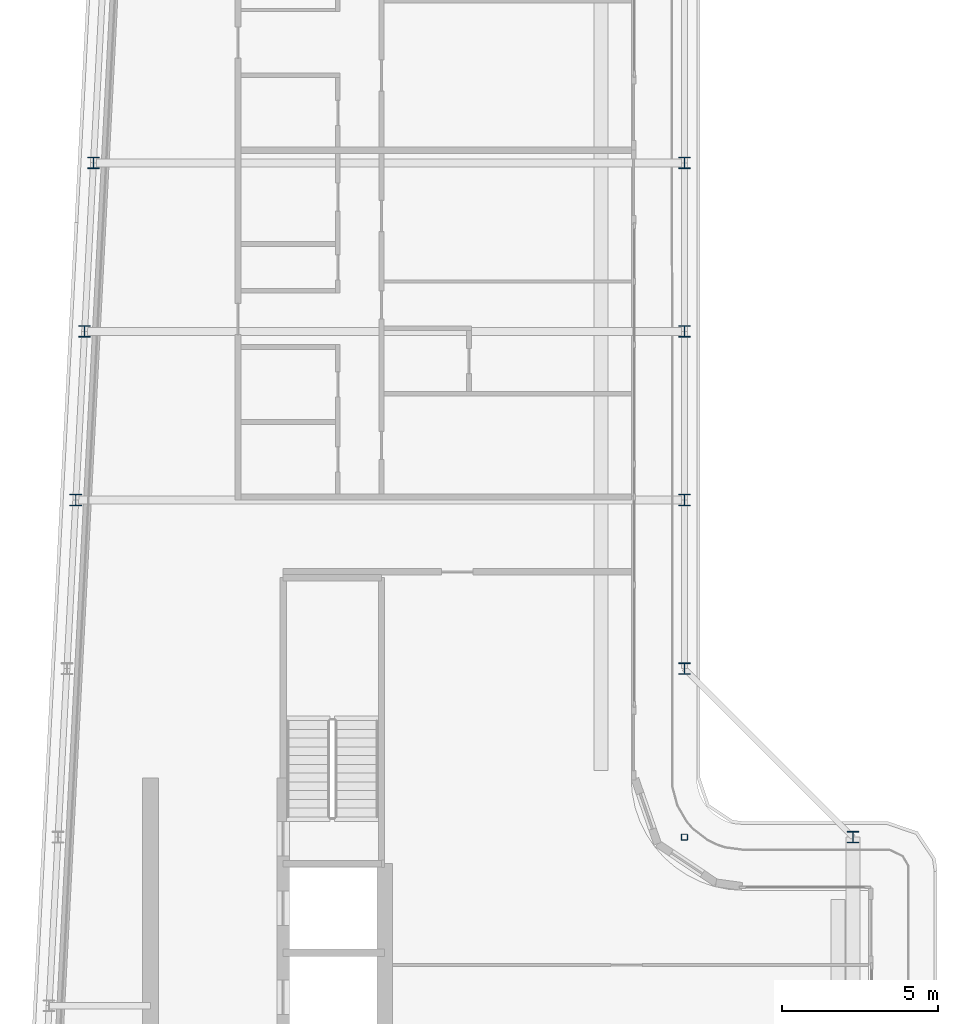
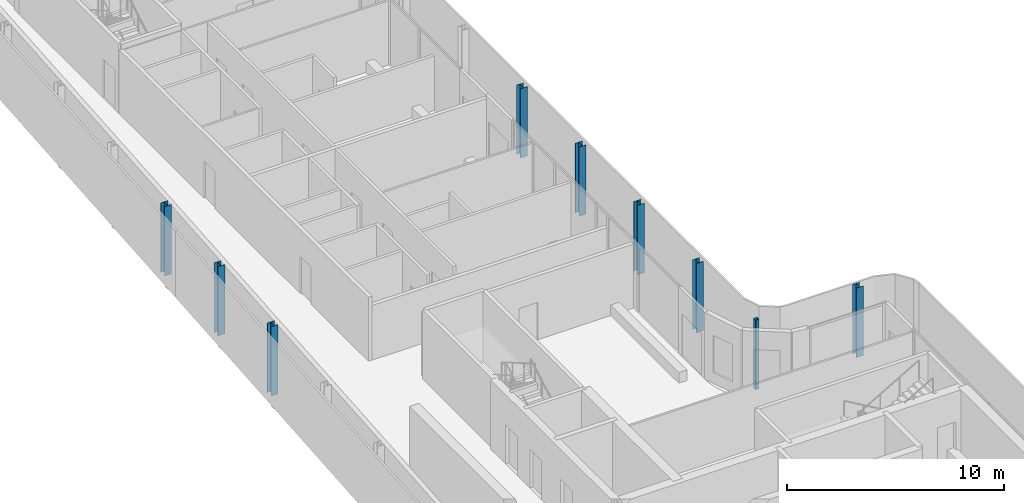
# One storey, part 2 of 18: 9 columns.
"""IFC4 building model written with IfcOpenShell, lengths in metres."""

from ifc_helpers import new_model, si_unit, direction, frame, origin, origin_2d, place, context, subcontext, project, spatial, hollow_rectangle, i_section, extrude, material, material_profile, profile_set, type_object, element, save


model = new_model("IFC4")

# Units and contexts
model_context = context("Model", 3, precision=1e-05, world=origin(), true_north=direction((0.0, 1.0)))
body_context = subcontext(model_context, "Body", "Model", "MODEL_VIEW")
ifc_project = project(units=[si_unit("LENGTHUNIT", "METRE"), si_unit("AREAUNIT", "SQUARE_METRE"), si_unit("VOLUMEUNIT", "CUBIC_METRE"), si_unit("PLANEANGLEUNIT", "RADIAN"), si_unit("MASSUNIT", "GRAM", prefix="KILO")], contexts=[model_context])

# Site, building, storey
site_placement = place(None, origin())
site = spatial("IfcSite", under=ifc_project, at=site_placement, CompositionType="ELEMENT")
building_placement = place(site_placement, origin())
building = spatial("IfcBuilding", under=site, at=building_placement, Name="Kheshtan School and Residences Tower", CompositionType="ELEMENT")
storey_placement = place(building_placement, frame((0.0, 0.0, 373.39990234375)))
storey = spatial("IfcBuildingStorey", under=building, at=storey_placement, Name="L88", CompositionType="ELEMENT", Elevation=373.39990234375)

# Columns
ifc_material_1 = material(Name="Steel ASTM A992 Grade 50", Category="steel")
ifc_material_profile_1 = material_profile(ifc_material_1, i_section(OverallWidth=0.37109375, OverallDepth=0.364013671875, WebThickness=0.01318359375, FlangeThickness=0.021728515625, FilletRadius=0.010986328125, at=origin_2d()), Name="W360x162")
ifc_profile_set_1 = profile_set([ifc_material_profile_1], Name="Steel ASTM A992 Grade 50")
column_type_1 = type_object("IfcColumnType", Name="Column C6 W360x162 ASTM A992 Grade 50", PredefinedType="COLUMN", material=ifc_profile_set_1)
for number, where, z_axis, x_axis, name in (
    (1, (53.0, 45.60009765625, 0.0), (0.0, 0.0, 1.0), (1.0, 0.0, 0.0), "Column C061"),
    (2, (47.60009765625, 51.0, 0.0), (0.0, 0.0, 1.0), (1.0, 0.0, 0.0), "Column C079"),
    (3, (28.10595703125, 56.39990234375, 0.0), (0.0, 0.0, 1.0), (1.0, 0.0, 0.0), "Column C080"),
    (4, (47.60009765625, 56.39990234375, 0.0), (0.0, 0.0, 1.0), (1.0, 0.0, 0.0), "Column C081"),
    (5, (28.389892578125, 61.800048828125, 0.0), (0.0, 0.0, 1.0), (1.0, 0.0, 0.0), "Column C082"),
    (6, (47.60009765625, 61.800048828125, 0.0), (0.0, 0.0, 1.0), (1.0, 0.0, 0.0), "Column C083"),
    (7, (28.674072265625, 67.199951171875, 0.0), (0.0, 0.0, 1.0), (1.0, 0.0, 0.0), "Column C084"),
    (8, (47.60009765625, 67.199951171875, 0.0), (0.0, 0.0, 1.0), (1.0, 0.0, 0.0), "Column C085"),
):
    element("IfcColumn", number, at=place(storey_placement, frame(where, z_axis=z_axis, x_axis=x_axis)), inside=storey, type_object=column_type_1, Name=name, PredefinedType="COLUMN", context=body_context, shape_type="SweptSolid", body=[
        extrude(i_section(OverallWidth=0.37109375, OverallDepth=0.364013671875, WebThickness=0.01318359375, FlangeThickness=0.021728515625, FilletRadius=0.010986328125, at=origin_2d()), origin(), (0.0, 0.0, 1.0), 3.900146484375),
    ])
ifc_material_2 = material(Name="Steel ASTM A500 Grade C", Category="steel")
ifc_material_profile_2 = material_profile(ifc_material_2, hollow_rectangle(XDim=0.202880859375, YDim=0.202880859375, WallThickness=0.0126953125, InnerFilletRadius=0.0126953125, OuterFilletRadius=0.025390625, at=origin_2d()), Name="HSS 203x203x12.7")
ifc_profile_set_2 = profile_set([ifc_material_profile_2], Name="Steel ASTM A500 Grade C")
column_type_2 = type_object("IfcColumnType", Name="Column IC4 HSS 203x203x12.7 ASTM A500 Grade C", PredefinedType="COLUMN", material=ifc_profile_set_2)
column_placement = place(storey_placement, frame((47.60009765625, 45.60009765625, 0.0), z_axis=(0.0, 0.0, 1.0), x_axis=(1.0, 0.0, 0.0)))
element("IfcColumn", 9, at=column_placement, inside=storey, type_object=column_type_2, Name="Column C060", PredefinedType="COLUMN", context=body_context, shape_type="SweptSolid", body=[
    extrude(hollow_rectangle(XDim=0.202880859375, YDim=0.202880859375, WallThickness=0.0126953125, InnerFilletRadius=0.0126953125, OuterFilletRadius=0.025390625, at=origin_2d()), origin(), (0.0, 0.0, 1.0), 3.900146484375),
])

save(model, "model.ifc")
